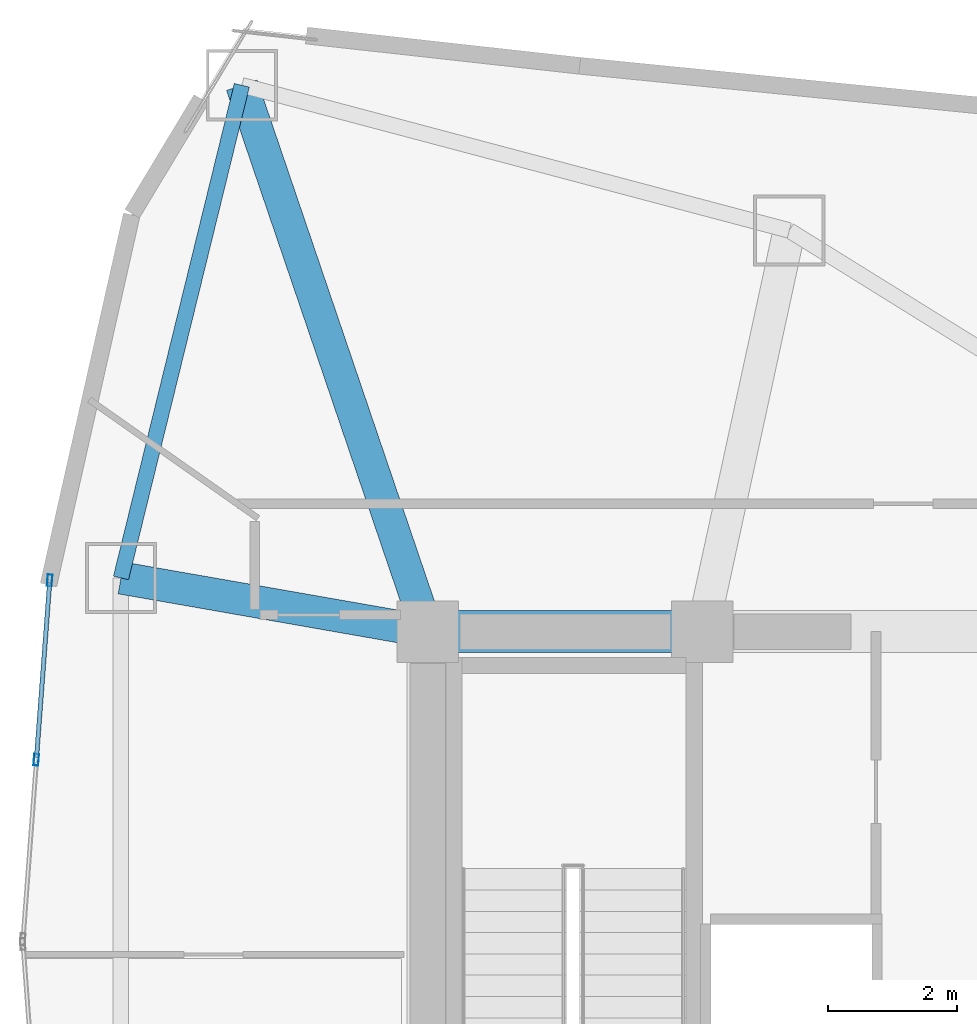
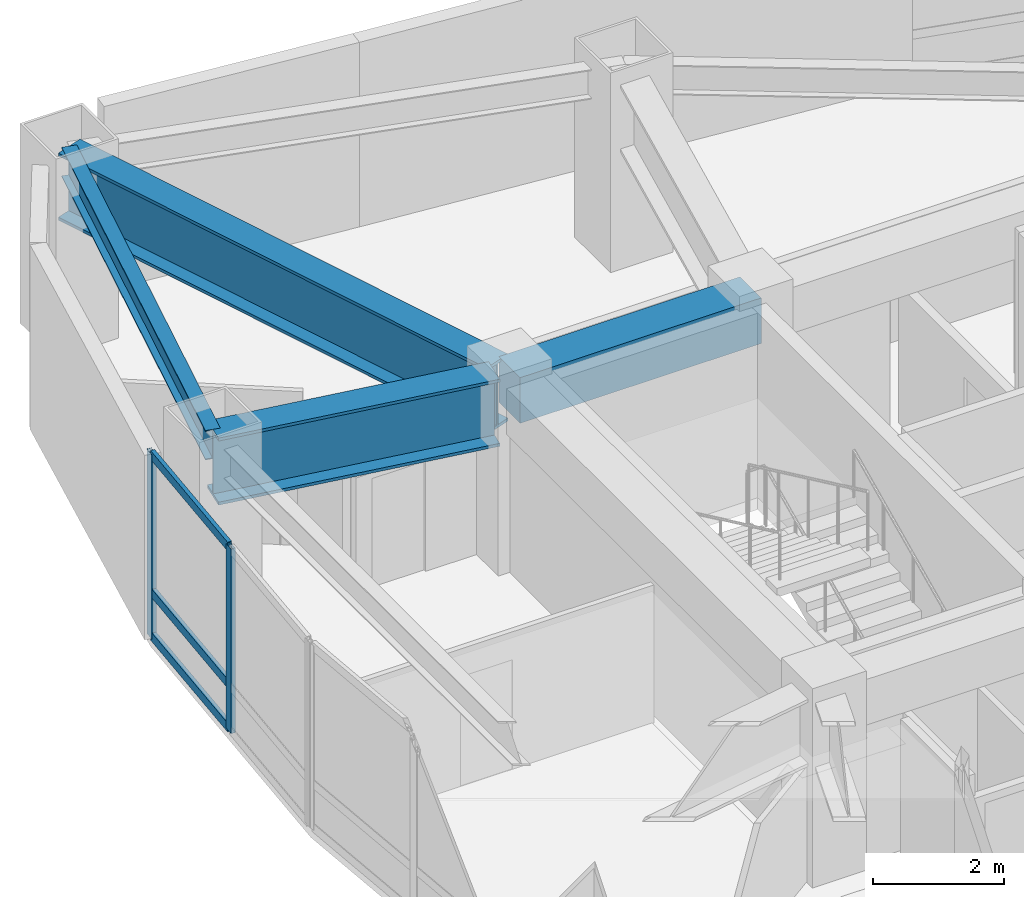
# One storey, part 7 of 18: 5 members, 4 beams, 1 element without a shape of its own.
"""IFC4 building model written with IfcOpenShell, lengths in metres."""

import ifcopenshell
import ifcopenshell.guid

model = None  # the IFC model being written
_history = None  # IfcOwnerHistory: only IFC2X3 demands one
_inside = {}  # id of a spatial element -> (the spatial element, [elements in it])
_under = {}  # id of a project, library or spatial element -> (it, [spatial elements below it])
_declared = {}  # id of a project -> (the project, [libraries it declares])
_typed = {}  # id of a type object -> (the type object, [elements of that type])
_made_of = {}  # id of a material, layer set ... -> (it, [elements and type objects made of it])


def new_model(schema):
    """Start an empty IFC model of exactly this schema.

    Asked for "IFC4X3", IfcOpenShell would pick the latest addendum, in which some entities
    have other attributes; the version numbers below select the first issue.
    IFC2X3 requires an IfcOwnerHistory on every rooted entity: one is made here for all.
    """
    global model, _history
    if schema == "IFC4X3":
        model = ifcopenshell.file(schema_version=(4, 3, 0, 0))
    else:
        model = ifcopenshell.file(schema=schema)
    _inside.clear()
    _under.clear()
    _declared.clear()
    _typed.clear()
    _made_of.clear()
    _history = None
    if model.schema == "IFC2X3":
        org = make("IfcOrganization", Name="unknown")
        user = make(
            "IfcPersonAndOrganization",
            ThePerson=make("IfcPerson", FamilyName="unknown"),
            TheOrganization=org,
        )
        app = make(
            "IfcApplication",
            ApplicationDeveloper=org,
            Version="unknown",
            ApplicationFullName="unknown",
            ApplicationIdentifier="unknown",
        )
        _history = make(
            "IfcOwnerHistory",
            OwningUser=user,
            OwningApplication=app,
            ChangeAction="ADDED",
            CreationDate=0,
        )
    return model


def make(cls, **values):
    """One entity of the class cls with the attributes given. An attribute that is None is left unset."""
    return model.create_entity(
        cls, **{name: value for name, value in values.items() if value is not None}
    )


def rooted(cls, **values):
    """An entity with a GlobalId (a new one), such as an element, a storey or a relation."""
    return make(cls, GlobalId=ifcopenshell.guid.new(), OwnerHistory=_history, **values)


def si_unit(unit_type, name, prefix=None):
    """IfcSIUnit, for example si_unit("LENGTHUNIT", "METRE", prefix="MILLI")."""
    return make("IfcSIUnit", UnitType=unit_type, Prefix=prefix, Name=name)


def assignment(units):
    """IfcUnitAssignment: the units of a project."""
    return None if units is None else make("IfcUnitAssignment", Units=units)


def point(xyz):
    """IfcCartesianPoint."""
    return None if xyz is None else make("IfcCartesianPoint", Coordinates=xyz)


def direction(xyz):
    """IfcDirection."""
    return None if xyz is None else make("IfcDirection", DirectionRatios=xyz)


def frame(location, z_axis=None, x_axis=None):
    """IfcAxis2Placement3D, a coordinate frame: its origin and axes. An axis left out is left unset."""
    return make(
        "IfcAxis2Placement3D",
        Location=point(location),
        Axis=direction(z_axis),
        RefDirection=direction(x_axis),
    )


def frame_2d(location, x_axis=None):
    """IfcAxis2Placement2D, a coordinate frame in the plane: its origin and x axis."""
    return make(
        "IfcAxis2Placement2D", Location=point(location), RefDirection=direction(x_axis)
    )


def origin():
    """The frame at (0, 0, 0) with its axes left unset."""
    return frame((0.0, 0.0, 0.0))


def origin_2d():
    """The frame at (0, 0) in the plane with its x axis left unset."""
    return frame_2d((0.0, 0.0))


def place(relative_to, where):
    """IfcLocalPlacement: puts the frame where relative to a parent placement (None: the world)."""
    return make(
        "IfcLocalPlacement", PlacementRelTo=relative_to, RelativePlacement=where
    )


def context(
    kind, dimensions, precision=None, world=None, true_north=None, identifier=None
):
    """IfcGeometricRepresentationContext, for example the 3D "Model" context."""
    return make(
        "IfcGeometricRepresentationContext",
        ContextIdentifier=identifier,
        ContextType=kind,
        CoordinateSpaceDimension=dimensions,
        Precision=precision,
        WorldCoordinateSystem=world,
        TrueNorth=true_north,
    )


def subcontext(parent, identifier, kind, view, scale=None):
    """IfcGeometricRepresentationSubContext, for example "Body" below "Model"."""
    return make(
        "IfcGeometricRepresentationSubContext",
        ContextIdentifier=identifier,
        ContextType=kind,
        ParentContext=parent,
        TargetScale=scale,
        TargetView=view,
    )


def project(units=None, contexts=None):
    """IfcProject with its units and contexts."""
    return rooted(
        "IfcProject",
        Name="project",
        RepresentationContexts=contexts,
        UnitsInContext=assignment(units),
    )


def spatial(cls, under=None, at=None, **own):
    """A site, building, storey or space (cls), placed at a placement, below another one or the project."""
    s = rooted(cls, ObjectPlacement=at, **own)
    if under is not None:
        _under.setdefault(under.id(), (under, []))[1].append(s)
    return s


def profile(cls, at=None, kind="AREA", **sizes):
    """A parametric profile (cls). Its sizes go by their IFC names, for example OverallWidth=200.0."""
    return make(cls, ProfileType=kind, Position=at, **sizes)


def rectangle(**sizes):
    """IfcRectangleProfileDef."""
    return profile("IfcRectangleProfileDef", **sizes)


def hollow_rectangle(**sizes):
    """IfcRectangleHollowProfileDef."""
    return profile("IfcRectangleHollowProfileDef", **sizes)


def i_section(**sizes):
    """IfcIShapeProfileDef."""
    return profile("IfcIShapeProfileDef", **sizes)


def extrude(swept, where, along, depth):
    """IfcExtrudedAreaSolid: the profile swept, set in the frame where, extruded along a direction by depth."""
    return make(
        "IfcExtrudedAreaSolid",
        SweptArea=swept,
        Position=where,
        ExtrudedDirection=direction(along),
        Depth=depth,
    )


def shape(context_of_items, identifier, shape_type, items):
    """IfcShapeRepresentation: the items that make up one representation, for example the "Body"."""
    return make(
        "IfcShapeRepresentation",
        ContextOfItems=context_of_items,
        RepresentationIdentifier=identifier,
        RepresentationType=shape_type,
        Items=items,
    )


def material(Name=None, Category=None):
    """IfcMaterial."""
    return make("IfcMaterial", Name=Name, Category=Category)


def layer(
    of_material, thickness, ventilated=None, Name=None, Category=None, Priority=None
):
    """IfcMaterialLayer: one layer of a wall or slab, of a material (None: an air gap)."""
    return make(
        "IfcMaterialLayer",
        Material=of_material,
        LayerThickness=thickness,
        IsVentilated=ventilated,
        Name=Name,
        Category=Category,
        Priority=Priority,
    )


def layer_set(layers, Name=None):
    """IfcMaterialLayerSet."""
    return make("IfcMaterialLayerSet", MaterialLayers=layers, LayerSetName=Name)


def material_profile(
    of_material, cross_section, Name=None, Category=None, Priority=None
):
    """IfcMaterialProfile: a cross section and its material."""
    return make(
        "IfcMaterialProfile",
        Name=Name,
        Material=of_material,
        Profile=cross_section,
        Priority=Priority,
        Category=Category,
    )


def profile_set(profiles, Name=None, composite=None):
    """IfcMaterialProfileSet."""
    return make(
        "IfcMaterialProfileSet",
        Name=Name,
        MaterialProfiles=profiles,
        CompositeProfile=composite,
    )


def made_of(thing, what):
    """Note that an element or type object is made of a material, layer set ...; save() writes the relation."""
    if what is not None:
        _made_of.setdefault(what.id(), (what, []))[1].append(thing)
    return thing


def type_object(cls, material=None, **own):
    """A type object (cls), such as IfcWallType, which elements share."""
    return made_of(rooted(cls, **own), material)


def element(
    cls,
    number,
    at=None,
    inside=None,
    cuts=None,
    type_object=None,
    material=None,
    context=None,
    identifier="Body",
    shape_type=None,
    held_by="IfcProductDefinitionShape",
    body=None,
    shapes=None,
    **own,
):
    """One element of the class cls, such as IfcWall. Its Tag is "e" and its number.

    at: its placement. inside: the storey or other place that contains it. cuts: it is an
    opening in that element (IfcRelVoidsElement). A single representation is given by context,
    identifier, shape_type and body (its items); several are given by shapes. held_by: the class
    of the entity that holds the representations. save() writes the other relations.
    """
    e = rooted(cls, Tag="e%d" % number, ObjectPlacement=at, **own)
    if body is not None:
        shapes = [shape(context, identifier, shape_type, body)]
    if shapes is not None:
        e.Representation = make(held_by, Representations=shapes)
    if inside is not None:
        _inside.setdefault(inside.id(), (inside, []))[1].append(e)
    if cuts is not None:
        rooted(
            "IfcRelVoidsElement", RelatingBuildingElement=cuts, RelatedOpeningElement=e
        )
    if type_object is not None:
        _typed.setdefault(type_object.id(), (type_object, []))[1].append(e)
    return made_of(e, material)


def aggregate(whole, parts):
    """IfcRelAggregates: a whole, such as a stair, and the parts it consists of."""
    return rooted("IfcRelAggregates", RelatingObject=whole, RelatedObjects=parts)


def save(model, path):
    """Write the relations noted so far, then the file.

    IfcRelAggregates (storeys below a building ...), IfcRelContainedInSpatialStructure (elements
    in a storey), IfcRelDefinesByType, IfcRelAssociatesMaterial and IfcRelDeclares: one each for
    every whole, place, type object, material and project.
    """
    for whole, parts in _under.values():
        aggregate(whole, parts)
    for where, things in _inside.values():
        rooted(
            "IfcRelContainedInSpatialStructure",
            RelatedElements=things,
            RelatingStructure=where,
        )
    for kind, things in _typed.values():
        rooted("IfcRelDefinesByType", RelatedObjects=things, RelatingType=kind)
    for what, things in _made_of.values():
        rooted("IfcRelAssociatesMaterial", RelatedObjects=things, RelatingMaterial=what)
    for by, libraries in _declared.values():
        rooted("IfcRelDeclares", RelatingContext=by, RelatedDefinitions=libraries)
    model.write(path)


model = new_model("IFC4")

# Units and contexts
model_context = context("Model", 3, precision=1e-05, world=origin(), true_north=direction((0.0, 1.0)))
body_context = subcontext(model_context, "Body", "Model", "MODEL_VIEW")
ifc_project = project(units=[si_unit("LENGTHUNIT", "METRE"), si_unit("AREAUNIT", "SQUARE_METRE"), si_unit("VOLUMEUNIT", "CUBIC_METRE"), si_unit("PLANEANGLEUNIT", "RADIAN"), si_unit("MASSUNIT", "GRAM", prefix="KILO")], contexts=[model_context])

# Site, building, storey
site_placement = place(None, origin())
site = spatial("IfcSite", under=ifc_project, at=site_placement, CompositionType="ELEMENT")
building_placement = place(site_placement, origin())
building = spatial("IfcBuilding", under=site, at=building_placement, Name="Menara Vayukalpa", CompositionType="ELEMENT")
storey_placement = place(building_placement, frame((0.0, 0.0, 169.199951171875)))
storey = spatial("IfcBuildingStorey", under=building, at=storey_placement, Name="L42", CompositionType="ELEMENT", Elevation=169.199951171875)

# Beams
ifc_material_1 = material(Name="Concrete C60/75", Category="concrete")
ifc_material_profile_1 = material_profile(ifc_material_1, rectangle(XDim=0.64990234375, YDim=0.85009765625, at=origin_2d()), Name="RC 650x850")
ifc_profile_set_1 = profile_set([ifc_material_profile_1], Name="Concrete C60/75")
beam_type_1 = type_object("IfcBeamType", Name="BM-CB1", PredefinedType="BEAM", material=ifc_profile_set_1)
beam_1_placement = place(storey_placement, frame((17.800048828125, 26.800048828125, 3.01513671875), z_axis=(1.0, 0.0, 0.0), x_axis=(0.0, 1.0, 0.0)))
element("IfcBeam", 1, at=beam_1_placement, inside=storey, type_object=beam_type_1, Name="L42 Core Tie Beam CBR4", PredefinedType="BEAM", context=body_context, shape_type="SweptSolid", body=[
    extrude(rectangle(XDim=0.64990234375, YDim=0.85009765625, at=origin_2d()), origin(), (0.0, 0.0, 1.0), 4.25),
])
ifc_material_2 = material(Name="Steel S355", Category="steel")
ifc_material_profile_2 = material_profile(ifc_material_2, i_section(OverallWidth=0.239990234375, OverallDepth=0.550048828125, WebThickness=0.010986328125, FlangeThickness=0.01904296875, at=origin_2d()), Name="WF 550x240x11x19")
ifc_profile_set_2 = profile_set([ifc_material_profile_2], Name="Steel S355")
beam_type_2 = type_object("IfcBeamType", Name="BM-SP2", PredefinedType="SPANDREL", material=ifc_profile_set_2)
beam_2_placement = place(storey_placement, frame((14.92041015625, 35.260498046875, 3.1650390625), z_axis=(-0.238240335346, -0.971206230733, 0.0), x_axis=(0.971206230733, -0.238240335346, 0.0)))
element("IfcBeam", 2, at=beam_2_placement, inside=storey, type_object=beam_type_2, Name="L42 Perimeter Spandrel Beam SP04", PredefinedType="SPANDREL", context=body_context, shape_type="SweptSolid", body=[
    extrude(i_section(OverallWidth=0.239990234375, OverallDepth=0.550048828125, WebThickness=0.010986328125, FlangeThickness=0.01904296875, at=origin_2d()), origin(), (0.0, 0.0, 1.0), 7.854736328125),
])
ifc_material_3 = material(Name="Steel S460", Category="steel")
ifc_material_profile_3 = material_profile(ifc_material_3, i_section(OverallWidth=0.5, OverallDepth=1.25, WebThickness=0.028076171875, FlangeThickness=0.054931640625, at=origin_2d()), Name="WG 1250x500x28x55")
ifc_profile_set_3 = profile_set([ifc_material_profile_3], Name="Steel S460")
beam_type_3 = type_object("IfcBeamType", Name="BM-TG2", PredefinedType="BEAM", material=ifc_profile_set_3)
beam_3_placement = place(storey_placement, frame((17.719482421875, 27.03662109375, 2.81494140625), z_axis=(-0.322207533072, 0.946669058136, 0.0), x_axis=(-0.946669058136, -0.322207533072, 0.0)))
element("IfcBeam", 3, at=beam_3_placement, inside=storey, type_object=beam_type_3, Name="L42 Primary Radial Girder RG04", PredefinedType="BEAM", context=body_context, shape_type="SweptSolid", body=[
    extrude(i_section(OverallWidth=0.5, OverallDepth=1.25, WebThickness=0.028076171875, FlangeThickness=0.054931640625, at=origin_2d()), origin(), (0.0, 0.0, 1.0), 8.687255859375),
])
beam_4_placement = place(storey_placement, frame((17.5537109375, 26.843017578125, 2.81494140625), z_axis=(-0.985011651805, 0.172487813505, 0.0), x_axis=(-0.172487813505, -0.985011651805, 0.0)))
element("IfcBeam", 4, at=beam_4_placement, inside=storey, type_object=beam_type_3, Name="L42 Primary Radial Girder RG05", PredefinedType="BEAM", context=body_context, shape_type="SweptSolid", body=[
    extrude(i_section(OverallWidth=0.5, OverallDepth=1.25, WebThickness=0.028076171875, FlangeThickness=0.054931640625, at=origin_2d()), origin(), (0.0, 0.0, 1.0), 4.5732421875),
])

# Curtain wall, members
ifc_material_4 = material(Name="Anodised Terracotta Aluminium Alloy 6063-T6", Category="masonry")
ifc_layer = layer(ifc_material_4, 0.179931640625)
ifc_layer_set = layer_set([ifc_layer], Name="Anodised Terracotta Aluminium Alloy 6063-T6")
curtain_wall_type = type_object("IfcCurtainWallType", Name="CW-CW4", PredefinedType="USERDEFINED", material=ifc_layer_set)
curtain_wall_placement = place(storey_placement, origin())
curtain_wall = element("IfcCurtainWall", 5, at=curtain_wall_placement, inside=storey, type_object=curtain_wall_type, Name="L42 Sky Bar Cantilever Glazed Curtain Wall CW4 10", ObjectType="UNITISED", PredefinedType="USERDEFINED")
ifc_material_5 = material(Name="Anodised Terracotta Aluminium Alloy 6063-T6", Category="masonry")
ifc_material_profile_4 = material_profile(ifc_material_5, hollow_rectangle(XDim=0.074951171875, YDim=0.179931640625, WallThickness=0.00390625, at=origin_2d()), Name="ALU 75x180x4")
ifc_profile_set_4 = profile_set([ifc_material_profile_4], Name="Anodised Terracotta Aluminium Alloy 6063-T6")
member_type_1 = type_object("IfcMemberType", Name="CWM-CW4", PredefinedType="MULLION", material=ifc_profile_set_4)
member_1_placement = place(storey_placement, frame((11.9462890625, 27.594482421875, 0.0), z_axis=(0.0, 0.0, 1.0), x_axis=(0.997199111801, -0.074792589364, 0.0)))
member_1 = element("IfcMember", 6, at=member_1_placement, type_object=member_type_1, Name="CW4 mullion 1", PredefinedType="MULLION", context=body_context, shape_type="SweptSolid", body=[
    extrude(hollow_rectangle(XDim=0.074951171875, YDim=0.179931640625, WallThickness=0.00390625, at=origin_2d()), origin(), (0.0, 0.0, 1.0), 3.43994140625),
])
member_2_placement = place(storey_placement, frame((11.73779296875, 24.81591796875, 0.0), z_axis=(0.0, 0.0, 1.0), x_axis=(0.997199111801, -0.074792589364, 0.0)))
member_2 = element("IfcMember", 7, at=member_2_placement, type_object=member_type_1, Name="CW4 mullion 2", PredefinedType="MULLION", context=body_context, shape_type="SweptSolid", body=[
    extrude(hollow_rectangle(XDim=0.074951171875, YDim=0.179931640625, WallThickness=0.00390625, at=origin_2d()), origin(), (0.0, 0.0, 1.0), 3.43994140625),
])
ifc_material_6 = material(Name="Anodised Terracotta Aluminium Alloy 6063-T6", Category="masonry")
ifc_material_profile_5 = material_profile(ifc_material_6, hollow_rectangle(XDim=0.070068359375, YDim=0.1650390625, WallThickness=0.00390625, at=origin_2d()), Name="ALU 70x165x4")
ifc_profile_set_5 = profile_set([ifc_material_profile_5], Name="Anodised Terracotta Aluminium Alloy 6063-T6")
member_type_2 = type_object("IfcMemberType", Name="CWT-CW4", PredefinedType="USERDEFINED", material=ifc_profile_set_5)
member_3_placement = place(storey_placement, frame((11.943603515625, 27.55712890625, 0.03515625), z_axis=(-0.074823524461, -0.997196791104, 0.0), x_axis=(0.997196791104, -0.074823524461, 0.0)))
member_3 = element("IfcMember", 8, at=member_3_placement, type_object=member_type_2, Name="CW4 transom 1.1", ObjectType="TRANSOM", PredefinedType="USERDEFINED", context=body_context, shape_type="SweptSolid", body=[
    extrude(hollow_rectangle(XDim=0.070068359375, YDim=0.1650390625, WallThickness=0.00390625, at=origin_2d()), origin(), (0.0, 0.0, 1.0), 2.71142578125),
])
member_4_placement = place(storey_placement, frame((11.943603515625, 27.55712890625, 0.85009765625), z_axis=(-0.074823524461, -0.997196791104, 0.0), x_axis=(0.997196791104, -0.074823524461, 0.0)))
member_4 = element("IfcMember", 9, at=member_4_placement, type_object=member_type_2, Name="CW4 transom 1.2", ObjectType="TRANSOM", PredefinedType="USERDEFINED", context=body_context, shape_type="SweptSolid", body=[
    extrude(hollow_rectangle(XDim=0.070068359375, YDim=0.1650390625, WallThickness=0.00390625, at=origin_2d()), origin(), (0.0, 0.0, 1.0), 2.71142578125),
])
member_5_placement = place(storey_placement, frame((11.943603515625, 27.55712890625, 3.405029296875), z_axis=(-0.074823524461, -0.997196791104, 0.0), x_axis=(0.997196791104, -0.074823524461, 0.0)))
member_5 = element("IfcMember", 10, at=member_5_placement, type_object=member_type_2, Name="CW4 transom 1.3", ObjectType="TRANSOM", PredefinedType="USERDEFINED", context=body_context, shape_type="SweptSolid", body=[
    extrude(hollow_rectangle(XDim=0.070068359375, YDim=0.1650390625, WallThickness=0.00390625, at=origin_2d()), origin(), (0.0, 0.0, 1.0), 2.71142578125),
])
aggregate(curtain_wall, [member_1, member_2, member_3, member_4, member_5])

save(model, "model.ifc")
